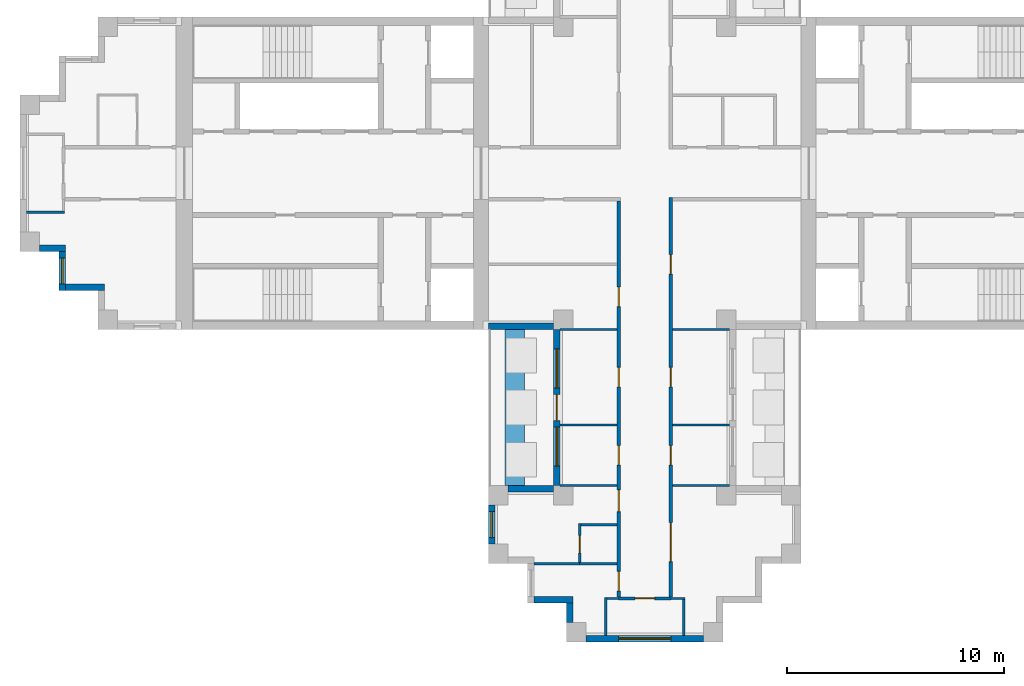
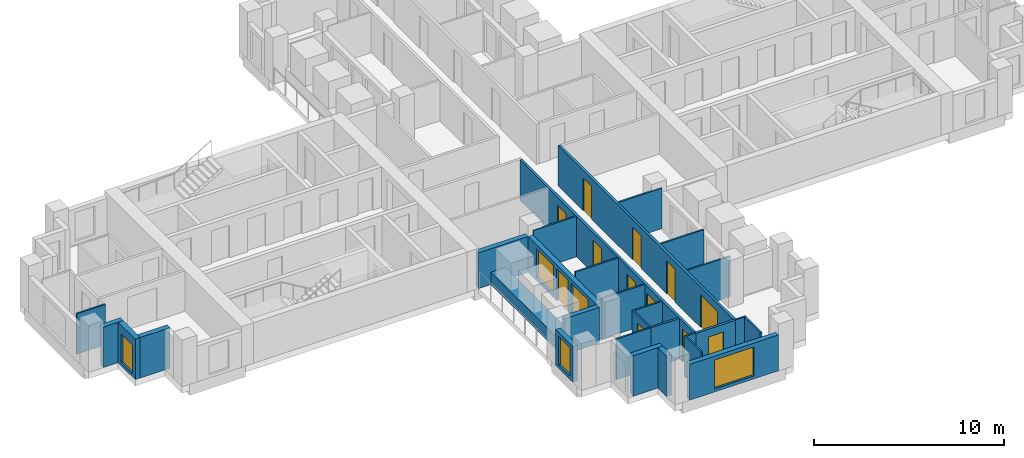
# One storey, part 2 of 9: 29 walls, 12 doors, 5 windows, 17 openings.
"""IFC4 building model written with IfcOpenShell, lengths in metres."""

from ifc_helpers import new_model, si_unit, direction, frame, frame_2d, origin, place, context, subcontext, project, spatial, rectangle, extrude, material, layer, layer_set, type_object, element, fill, save


model = new_model("IFC4")

# Units and contexts
model_context = context("Model", 3, precision=1e-05, world=origin(), true_north=direction((0.0, 1.0)))
body_context = subcontext(model_context, "Body", "Model", "MODEL_VIEW")
ifc_project = project(units=[si_unit("LENGTHUNIT", "METRE"), si_unit("AREAUNIT", "SQUARE_METRE"), si_unit("VOLUMEUNIT", "CUBIC_METRE"), si_unit("PLANEANGLEUNIT", "RADIAN"), si_unit("MASSUNIT", "GRAM", prefix="KILO")], contexts=[model_context])

# Site, building, storey
site_placement = place(None, origin())
site = spatial("IfcSite", under=ifc_project, at=site_placement, CompositionType="ELEMENT")
building_placement = place(site_placement, origin())
building = spatial("IfcBuilding", under=site, at=building_placement, Name="Fustian Cross Tower", CompositionType="ELEMENT")
storey_placement = place(building_placement, frame((0.0, 0.0, 216.89990234375)))
storey = spatial("IfcBuildingStorey", under=building, at=storey_placement, Name="L68", CompositionType="ELEMENT", Elevation=216.89990234375)

# Wall, openings, doors
ifc_material_1 = material(Name="Plasterboard on steel stud", Category="steel")
ifc_layer_1 = layer(ifc_material_1, 0.14990234375)
ifc_layer_set_1 = layer_set([ifc_layer_1], Name="Plasterboard on steel stud")
wall_type_1 = type_object("IfcWallType", Name="COMPARTMENT WALL 150 EI 60", PredefinedType="PARTITIONING", material=ifc_layer_set_1)
wall_1_placement = place(storey_placement, frame((-1.199951171875, -19.52490234375, 0.0), z_axis=(0.0, 0.0, 1.0), x_axis=(0.0, 1.0, 0.0)))
wall_1 = element("IfcWall", 1, at=wall_1_placement, inside=storey, type_object=wall_type_1, Name="Partition 29", PredefinedType="PARTITIONING", context=body_context, shape_type="SweptSolid", body=[
    extrude(rectangle(XDim=18.25, YDim=0.14990234375, at=frame_2d((9.125, 0.0))), origin(), (0.0, 0.0, 1.0), 2.60009765625),
])
opening_1_placement = place(wall_1_placement, frame((13.375, 0.0, 0.0)))
opening_1 = element("IfcOpeningElement", 2, at=opening_1_placement, cuts=wall_1, Name="Opening D31008", PredefinedType="OPENING", context=body_context, shape_type="SweptSolid", body=[
    extrude(rectangle(XDim=0.89990234375, YDim=2.10009765625, at=frame_2d((0.449951171875, 1.050048828125))), frame((0.0, 0.0849609375, 0.0), z_axis=(0.0, -1.0, 0.0), x_axis=(1.0, 0.0, 0.0)), (0.0, 0.0, 1.0), 0.169921875),
])
opening_2_placement = place(wall_1_placement, frame((6.074951171875, 0.0, 0.0)))
opening_2 = element("IfcOpeningElement", 3, at=opening_2_placement, cuts=wall_1, Name="Opening D31030", PredefinedType="OPENING", context=body_context, shape_type="SweptSolid", body=[
    extrude(rectangle(XDim=0.89990234375, YDim=2.10009765625, at=frame_2d((0.449951171875, 1.050048828125))), frame((0.0, 0.0849609375, 0.0), z_axis=(0.0, -1.0, 0.0), x_axis=(1.0, 0.0, 0.0)), (0.0, 0.0, 1.0), 0.169921875),
])
opening_3_placement = place(wall_1_placement, frame((9.675048828125, 0.0, 0.0)))
opening_3 = element("IfcOpeningElement", 4, at=opening_3_placement, cuts=wall_1, Name="Opening D31031", PredefinedType="OPENING", context=body_context, shape_type="SweptSolid", body=[
    extrude(rectangle(XDim=0.89990234375, YDim=2.10009765625, at=frame_2d((0.449951171875, 1.050048828125))), frame((0.0, 0.0849609375, 0.0), z_axis=(0.0, -1.0, 0.0), x_axis=(1.0, 0.0, 0.0)), (0.0, 0.0, 1.0), 0.169921875),
])
opening_4_placement = place(wall_1_placement, frame((3.925048828125, 0.0, 0.0)))
opening_4 = element("IfcOpeningElement", 5, at=opening_4_placement, cuts=wall_1, Name="Opening D31033", PredefinedType="OPENING", context=body_context, shape_type="SweptSolid", body=[
    extrude(rectangle(XDim=1.0, YDim=2.10009765625, at=frame_2d((0.5, 1.050048828125))), frame((0.0, 0.0849609375, 0.0), z_axis=(0.0, -1.0, 0.0), x_axis=(1.0, 0.0, 0.0)), (0.0, 0.0, 1.0), 0.169921875),
])
opening_5_placement = place(wall_1_placement, frame((0.27490234375, 0.0, 0.0)))
opening_5 = element("IfcOpeningElement", 6, at=opening_5_placement, cuts=wall_1, Name="Opening D31034", PredefinedType="OPENING", context=body_context, shape_type="SweptSolid", body=[
    extrude(rectangle(XDim=0.89990234375, YDim=2.10009765625, at=frame_2d((0.449951171875, 1.050048828125))), frame((0.0, 0.0849609375, 0.0), z_axis=(0.0, -1.0, 0.0), x_axis=(1.0, 0.0, 0.0)), (0.0, 0.0, 1.0), 0.169921875),
])
ifc_material_2 = material(Name="Timber fire door set", Category="wood")
door_type_1 = type_object("IfcDoorType", Name="FIRE SWING DOOR 1000 FD30S", OperationType="SINGLE_SWING_LEFT", PredefinedType="DOOR", material=ifc_material_2)
door_1_placement = place(opening_4_placement, origin())
door_1 = element("IfcDoor", 7, at=door_1_placement, inside=storey, type_object=door_type_1, Name="Door D31033", OperationType="SINGLE_SWING_RIGHT", OverallHeight=2.10009765625, OverallWidth=1.0, PredefinedType="DOOR", context=body_context, shape_type="SweptSolid", body=[
    extrude(rectangle(XDim=1.0, YDim=2.10009765625, at=frame_2d((0.5, 1.050048828125))), frame((0.0, 0.02490234375, 0.0), z_axis=(0.0, -1.0, 0.0), x_axis=(1.0, 0.0, 0.0)), (0.0, 0.0, 1.0), 0.050048828125),
])
fill(opening_4, door_1)
ifc_material_3 = material(Name="Timber fire door set", Category="wood")
door_type_2 = type_object("IfcDoorType", Name="FIRE SWING DOOR 900 FD30S", OperationType="SINGLE_SWING_LEFT", PredefinedType="DOOR", material=ifc_material_3)
door_2_placement = place(opening_1_placement, origin())
door_2 = element("IfcDoor", 8, at=door_2_placement, inside=storey, type_object=door_type_2, Name="Door D31008", OperationType="SINGLE_SWING_RIGHT", OverallHeight=2.10009765625, OverallWidth=0.89990234375, PredefinedType="DOOR", context=body_context, shape_type="SweptSolid", body=[
    extrude(rectangle(XDim=0.89990234375, YDim=2.10009765625, at=frame_2d((0.449951171875, 1.050048828125))), frame((0.0, 0.02490234375, 0.0), z_axis=(0.0, -1.0, 0.0), x_axis=(1.0, 0.0, 0.0)), (0.0, 0.0, 1.0), 0.050048828125),
])
fill(opening_1, door_2)
door_3_placement = place(opening_2_placement, origin())
door_3 = element("IfcDoor", 9, at=door_3_placement, inside=storey, type_object=door_type_2, Name="Door D31030", OperationType="SINGLE_SWING_LEFT", OverallHeight=2.10009765625, OverallWidth=0.89990234375, PredefinedType="DOOR", context=body_context, shape_type="SweptSolid", body=[
    extrude(rectangle(XDim=0.89990234375, YDim=2.10009765625, at=frame_2d((0.449951171875, 1.050048828125))), frame((0.0, 0.02490234375, 0.0), z_axis=(0.0, -1.0, 0.0), x_axis=(1.0, 0.0, 0.0)), (0.0, 0.0, 1.0), 0.050048828125),
])
fill(opening_2, door_3)
door_4_placement = place(opening_3_placement, origin())
door_4 = element("IfcDoor", 10, at=door_4_placement, inside=storey, type_object=door_type_2, Name="Door D31031", OperationType="SINGLE_SWING_LEFT", OverallHeight=2.10009765625, OverallWidth=0.89990234375, PredefinedType="DOOR", context=body_context, shape_type="SweptSolid", body=[
    extrude(rectangle(XDim=0.89990234375, YDim=2.10009765625, at=frame_2d((0.449951171875, 1.050048828125))), frame((0.0, 0.02490234375, 0.0), z_axis=(0.0, -1.0, 0.0), x_axis=(1.0, 0.0, 0.0)), (0.0, 0.0, 1.0), 0.050048828125),
])
fill(opening_3, door_4)
door_5_placement = place(opening_5_placement, origin())
door_5 = element("IfcDoor", 11, at=door_5_placement, inside=storey, type_object=door_type_2, Name="Door D31034", OperationType="SINGLE_SWING_LEFT", OverallHeight=2.10009765625, OverallWidth=0.89990234375, PredefinedType="DOOR", context=body_context, shape_type="SweptSolid", body=[
    extrude(rectangle(XDim=0.89990234375, YDim=2.10009765625, at=frame_2d((0.449951171875, 1.050048828125))), frame((0.0, 0.02490234375, 0.0), z_axis=(0.0, -1.0, 0.0), x_axis=(1.0, 0.0, 0.0)), (0.0, 0.0, 1.0), 0.050048828125),
])
fill(opening_5, door_5)

# Wall, opening, door
wall_2_placement = place(storey_placement, frame((-1.199951171875, -19.60009765625, 0.0), z_axis=(0.0, 0.0, 1.0), x_axis=(1.0, 0.0, 0.0)))
wall_2 = element("IfcWall", 12, at=wall_2_placement, inside=storey, type_object=wall_type_1, Name="Partition 30", PredefinedType="PARTITIONING", context=body_context, shape_type="SweptSolid", body=[
    extrude(rectangle(XDim=2.39990234375, YDim=0.14990234375, at=frame_2d((1.199951171875, 0.0))), origin(), (0.0, 0.0, 1.0), 2.60009765625),
])
opening_6_placement = place(wall_2_placement, frame((0.75, 0.0, 0.0)))
opening_6 = element("IfcOpeningElement", 13, at=opening_6_placement, cuts=wall_2, Name="Opening D31026", PredefinedType="OPENING", context=body_context, shape_type="SweptSolid", body=[
    extrude(rectangle(XDim=0.89990234375, YDim=2.10009765625, at=frame_2d((0.449951171875, 1.050048828125))), frame((0.0, 0.0849609375, 0.0), z_axis=(0.0, -1.0, 0.0), x_axis=(1.0, 0.0, 0.0)), (0.0, 0.0, 1.0), 0.169921875),
])
door_6_placement = place(opening_6_placement, frame((0.89990234375, 0.0, 0.0), z_axis=(0.0, 0.0, 1.0), x_axis=(-1.0, 0.0, 0.0)))
door_6 = element("IfcDoor", 14, at=door_6_placement, inside=storey, type_object=door_type_2, Name="Door D31026", OperationType="SINGLE_SWING_RIGHT", OverallHeight=2.10009765625, OverallWidth=0.89990234375, PredefinedType="DOOR", context=body_context, shape_type="SweptSolid", body=[
    extrude(rectangle(XDim=0.89990234375, YDim=2.10009765625, at=frame_2d((0.449951171875, 1.050048828125))), frame((0.0, 0.02490234375, 0.0), z_axis=(0.0, -1.0, 0.0), x_axis=(1.0, 0.0, 0.0)), (0.0, 0.0, 1.0), 0.050048828125),
])
fill(opening_6, door_6)

# Wall, openings, doors
wall_3_placement = place(storey_placement, frame((1.199951171875, -19.52490234375, 0.0), z_axis=(0.0, 0.0, 1.0), x_axis=(0.0, 1.0, 0.0)))
wall_3 = element("IfcWall", 15, at=wall_3_placement, inside=storey, type_object=wall_type_1, Name="Partition 33", PredefinedType="PARTITIONING", context=body_context, shape_type="SweptSolid", body=[
    extrude(rectangle(XDim=18.39990234375, YDim=0.14990234375, at=frame_2d((9.199951171875, 0.0))), origin(), (0.0, 0.0, 1.0), 2.60009765625),
])
opening_7_placement = place(wall_3_placement, frame((14.875, 0.0, 0.0)))
opening_7 = element("IfcOpeningElement", 16, at=opening_7_placement, cuts=wall_3, Name="Opening D31006", PredefinedType="OPENING", context=body_context, shape_type="SweptSolid", body=[
    extrude(rectangle(XDim=0.89990234375, YDim=2.10009765625, at=frame_2d((0.449951171875, 1.050048828125))), frame((0.0, 0.0849609375, 0.0), z_axis=(0.0, -1.0, 0.0), x_axis=(1.0, 0.0, 0.0)), (0.0, 0.0, 1.0), 0.169921875),
])
opening_8_placement = place(wall_3_placement, frame((6.074951171875, 0.0, 0.0)))
opening_8 = element("IfcOpeningElement", 17, at=opening_8_placement, cuts=wall_3, Name="Opening D31027", PredefinedType="OPENING", context=body_context, shape_type="SweptSolid", body=[
    extrude(rectangle(XDim=0.89990234375, YDim=2.10009765625, at=frame_2d((0.449951171875, 1.050048828125))), frame((0.0, 0.0849609375, 0.0), z_axis=(0.0, -1.0, 0.0), x_axis=(1.0, 0.0, 0.0)), (0.0, 0.0, 1.0), 0.169921875),
])
opening_9_placement = place(wall_3_placement, frame((9.675048828125, 0.0, 0.0)))
opening_9 = element("IfcOpeningElement", 18, at=opening_9_placement, cuts=wall_3, Name="Opening D31028", PredefinedType="OPENING", context=body_context, shape_type="SweptSolid", body=[
    extrude(rectangle(XDim=0.89990234375, YDim=2.10009765625, at=frame_2d((0.449951171875, 1.050048828125))), frame((0.0, 0.0849609375, 0.0), z_axis=(0.0, -1.0, 0.0), x_axis=(1.0, 0.0, 0.0)), (0.0, 0.0, 1.0), 0.169921875),
])
opening_10_placement = place(wall_3_placement, frame((1.625, 0.0, 0.0)))
opening_10 = element("IfcOpeningElement", 19, at=opening_10_placement, cuts=wall_3, Name="Opening D31029", PredefinedType="OPENING", context=body_context, shape_type="SweptSolid", body=[
    extrude(rectangle(XDim=1.800048828125, YDim=2.10009765625, at=frame_2d((0.89990234375, 1.050048828125))), frame((0.0, 0.0849609375, 0.0), z_axis=(0.0, -1.0, 0.0), x_axis=(1.0, 0.0, 0.0)), (0.0, 0.0, 1.0), 0.169921875),
])
ifc_material_4 = material(Name="Timber fire door set", Category="wood")
door_type_3 = type_object("IfcDoorType", Name="FIRE DOUBLE DOOR 1800 FD30S", OperationType="DOUBLE_DOOR_DOUBLE_SWING", PredefinedType="DOOR", material=ifc_material_4)
door_7_placement = place(opening_10_placement, origin())
door_7 = element("IfcDoor", 20, at=door_7_placement, inside=storey, type_object=door_type_3, Name="Door D31029", OperationType="DOUBLE_DOOR_DOUBLE_SWING", OverallHeight=2.10009765625, OverallWidth=1.800048828125, PredefinedType="DOOR", context=body_context, shape_type="SweptSolid", body=[
    extrude(rectangle(XDim=1.800048828125, YDim=2.10009765625, at=frame_2d((0.89990234375, 1.050048828125))), frame((0.0, 0.02490234375, 0.0), z_axis=(0.0, -1.0, 0.0), x_axis=(1.0, 0.0, 0.0)), (0.0, 0.0, 1.0), 0.050048828125),
])
fill(opening_10, door_7)
door_8_placement = place(opening_7_placement, frame((0.89990234375, 0.0, 0.0), z_axis=(0.0, 0.0, 1.0), x_axis=(-1.0, 0.0, 0.0)))
door_8 = element("IfcDoor", 21, at=door_8_placement, inside=storey, type_object=door_type_2, Name="Door D31006", OperationType="SINGLE_SWING_RIGHT", OverallHeight=2.10009765625, OverallWidth=0.89990234375, PredefinedType="DOOR", context=body_context, shape_type="SweptSolid", body=[
    extrude(rectangle(XDim=0.89990234375, YDim=2.10009765625, at=frame_2d((0.449951171875, 1.050048828125))), frame((0.0, 0.02490234375, 0.0), z_axis=(0.0, -1.0, 0.0), x_axis=(1.0, 0.0, 0.0)), (0.0, 0.0, 1.0), 0.050048828125),
])
fill(opening_7, door_8)
door_9_placement = place(opening_8_placement, frame((0.89990234375, 0.0, 0.0), z_axis=(0.0, 0.0, 1.0), x_axis=(-1.0, 0.0, 0.0)))
door_9 = element("IfcDoor", 22, at=door_9_placement, inside=storey, type_object=door_type_2, Name="Door D31027", OperationType="SINGLE_SWING_RIGHT", OverallHeight=2.10009765625, OverallWidth=0.89990234375, PredefinedType="DOOR", context=body_context, shape_type="SweptSolid", body=[
    extrude(rectangle(XDim=0.89990234375, YDim=2.10009765625, at=frame_2d((0.449951171875, 1.050048828125))), frame((0.0, 0.02490234375, 0.0), z_axis=(0.0, -1.0, 0.0), x_axis=(1.0, 0.0, 0.0)), (0.0, 0.0, 1.0), 0.050048828125),
])
fill(opening_8, door_9)
door_10_placement = place(opening_9_placement, frame((0.89990234375, 0.0, 0.0), z_axis=(0.0, 0.0, 1.0), x_axis=(-1.0, 0.0, 0.0)))
door_10 = element("IfcDoor", 23, at=door_10_placement, inside=storey, type_object=door_type_2, Name="Door D31028", OperationType="SINGLE_SWING_RIGHT", OverallHeight=2.10009765625, OverallWidth=0.89990234375, PredefinedType="DOOR", context=body_context, shape_type="SweptSolid", body=[
    extrude(rectangle(XDim=0.89990234375, YDim=2.10009765625, at=frame_2d((0.449951171875, 1.050048828125))), frame((0.0, 0.02490234375, 0.0), z_axis=(0.0, -1.0, 0.0), x_axis=(1.0, 0.0, 0.0)), (0.0, 0.0, 1.0), 0.050048828125),
])
fill(opening_9, door_10)

# Walls
ifc_material_5 = material(Name="Plasterboard on steel stud", Category="steel")
ifc_layer_2 = layer(ifc_material_5, 0.10009765625)
ifc_layer_set_2 = layer_set([ifc_layer_2], Name="Plasterboard on steel stud")
wall_type_2 = type_object("IfcWallType", Name="PARTITION 100 STUD", PredefinedType="PARTITIONING", material=ifc_layer_set_2)
wall_4_placement = place(storey_placement, frame((-28.5, -1.800048828125, 0.0), z_axis=(0.0, 0.0, 1.0), x_axis=(1.0, 0.0, 0.0)))
element("IfcWall", 24, at=wall_4_placement, inside=storey, type_object=wall_type_2, Name="Partition 1", PredefinedType="PARTITIONING", context=body_context, shape_type="SweptSolid", body=[
    extrude(rectangle(XDim=1.75, YDim=0.10009765625, at=frame_2d((0.875, 0.0))), origin(), (0.0, 0.0, 1.0), 2.60009765625),
])
wall_5_placement = place(storey_placement, frame((-5.10009765625, -18.0, 0.0), z_axis=(0.0, 0.0, 1.0), x_axis=(1.0, 0.0, 0.0)))
element("IfcWall", 25, at=wall_5_placement, inside=storey, type_object=wall_type_2, Name="Partition 15", PredefinedType="PARTITIONING", context=body_context, shape_type="SweptSolid", body=[
    extrude(rectangle(XDim=2.10009765625, YDim=0.10009765625, at=frame_2d((1.050048828125, 0.0))), origin(), (0.0, 0.0, 1.0), 2.60009765625),
])
for number, where, z_axis, x_axis, name in (
    (26, (-3.89990234375, -14.39990234375, 0.0), (0.0, 0.0, 1.0), (1.0, 0.0, 0.0), "Partition 17"),
    (27, (-3.89990234375, -11.60009765625, 0.0), (0.0, 0.0, 1.0), (1.0, 0.0, 0.0), "Partition 18"),
    (28, (-3.89990234375, -7.199951171875, 0.0), (0.0, 0.0, 1.0), (1.0, 0.0, 0.0), "Partition 19"),
):
    element("IfcWall", number, at=place(storey_placement, frame(where, z_axis=z_axis, x_axis=x_axis)), inside=storey, type_object=wall_type_2, Name=name, PredefinedType="PARTITIONING", context=body_context, shape_type="SweptSolid", body=[
        extrude(rectangle(XDim=2.625, YDim=0.10009765625, at=frame_2d((1.3125, 0.0))), origin(), (0.0, 0.0, 1.0), 2.60009765625),
    ])

# Wall, opening, door
wall_6_placement = place(storey_placement, frame((-3.0, -17.9375, 0.0), z_axis=(0.0, 0.0, 1.0), x_axis=(0.0, 1.0, 0.0)))
wall_6 = element("IfcWall", 29, at=wall_6_placement, inside=storey, type_object=wall_type_2, Name="Partition 22", PredefinedType="PARTITIONING", context=body_context, shape_type="SweptSolid", body=[
    extrude(rectangle(XDim=1.78759765625, YDim=0.10009765625, at=frame_2d((0.893798828125, 0.0))), origin(), (0.0, 0.0, 1.0), 2.60009765625),
])
opening_11_placement = place(wall_6_placement, frame((0.4375, 0.0, 0.0)))
opening_11 = element("IfcOpeningElement", 30, at=opening_11_placement, cuts=wall_6, Name="Opening D31032", PredefinedType="OPENING", context=body_context, shape_type="SweptSolid", body=[
    extrude(rectangle(XDim=0.800048828125, YDim=2.10009765625, at=frame_2d((0.39990234375, 1.050048828125))), frame((0.0, 0.06005859375, 0.0), z_axis=(0.0, -1.0, 0.0), x_axis=(1.0, 0.0, 0.0)), (0.0, 0.0, 1.0), 0.1201171875),
])
ifc_material_6 = material(Name="Painted timber", Category="wood")
door_type_4 = type_object("IfcDoorType", Name="SWING DOOR 800", OperationType="SINGLE_SWING_LEFT", PredefinedType="DOOR", material=ifc_material_6)
door_11_placement = place(opening_11_placement, frame((0.800048828125, 0.0, 0.0), z_axis=(0.0, 0.0, 1.0), x_axis=(-1.0, 0.0, 0.0)))
door_11 = element("IfcDoor", 31, at=door_11_placement, inside=storey, type_object=door_type_4, Name="Door D31032", OperationType="SINGLE_SWING_LEFT", OverallHeight=2.10009765625, OverallWidth=0.800048828125, PredefinedType="DOOR", context=body_context, shape_type="SweptSolid", body=[
    extrude(rectangle(XDim=0.800048828125, YDim=2.10009765625, at=frame_2d((0.39990234375, 1.050048828125))), frame((0.0, 0.02490234375, 0.0), z_axis=(0.0, -1.0, 0.0), x_axis=(1.0, 0.0, 0.0)), (0.0, 0.0, 1.0), 0.050048828125),
])
fill(opening_11, door_11)

# Walls
wall_7_placement = place(storey_placement, frame((-2.949951171875, -16.199951171875, 0.0), z_axis=(0.0, 0.0, 1.0), x_axis=(1.0, 0.0, 0.0)))
element("IfcWall", 32, at=wall_7_placement, inside=storey, type_object=wall_type_2, Name="Partition 24", PredefinedType="PARTITIONING", context=body_context, shape_type="SweptSolid", body=[
    extrude(rectangle(XDim=1.675048828125, YDim=0.10009765625, at=frame_2d((0.83740234375, 0.0))), origin(), (0.0, 0.0, 1.0), 2.60009765625),
])
wall_8_placement = place(storey_placement, frame((-1.800048828125, -21.300048828125, 0.0), z_axis=(0.0, 0.0, 1.0), x_axis=(0.0, 1.0, 0.0)))
element("IfcWall", 33, at=wall_8_placement, inside=storey, type_object=wall_type_2, Name="Partition 25", PredefinedType="PARTITIONING", context=body_context, shape_type="SweptSolid", body=[
    extrude(rectangle(XDim=1.75, YDim=0.10009765625, at=frame_2d((0.875, 0.0))), origin(), (0.0, 0.0, 1.0), 2.60009765625),
])
wall_9_placement = place(storey_placement, frame((-1.75, -19.60009765625, 0.0), z_axis=(0.0, 0.0, 1.0), x_axis=(1.0, 0.0, 0.0)))
element("IfcWall", 34, at=wall_9_placement, inside=storey, type_object=wall_type_2, Name="Partition 26", PredefinedType="PARTITIONING", context=body_context, shape_type="SweptSolid", body=[
    extrude(rectangle(XDim=0.550048828125, YDim=0.10009765625, at=frame_2d((0.27490234375, 0.0))), origin(), (0.0, 0.0, 1.0), 2.60009765625),
])
wall_10_placement = place(storey_placement, frame((1.199951171875, -19.60009765625, 0.0), z_axis=(0.0, 0.0, 1.0), x_axis=(1.0, 0.0, 0.0)))
element("IfcWall", 35, at=wall_10_placement, inside=storey, type_object=wall_type_2, Name="Partition 34", PredefinedType="PARTITIONING", context=body_context, shape_type="SweptSolid", body=[
    extrude(rectangle(XDim=0.650146484375, YDim=0.10009765625, at=frame_2d((0.3251953125, 0.0))), origin(), (0.0, 0.0, 1.0), 2.60009765625),
])
for number, where, z_axis, x_axis, name in (
    (36, (1.27490234375, -14.39990234375, 0.0), (0.0, 0.0, 1.0), (1.0, 0.0, 0.0), "Partition 35"),
    (37, (1.27490234375, -11.60009765625, 0.0), (0.0, 0.0, 1.0), (1.0, 0.0, 0.0), "Partition 36"),
    (38, (1.27490234375, -7.199951171875, 0.0), (0.0, 0.0, 1.0), (1.0, 0.0, 0.0), "Partition 37"),
):
    element("IfcWall", number, at=place(storey_placement, frame(where, z_axis=z_axis, x_axis=x_axis)), inside=storey, type_object=wall_type_2, Name=name, PredefinedType="PARTITIONING", context=body_context, shape_type="SweptSolid", body=[
        extrude(rectangle(XDim=2.625, YDim=0.10009765625, at=frame_2d((1.3125, 0.0))), origin(), (0.0, 0.0, 1.0), 2.60009765625),
    ])
wall_11_placement = place(storey_placement, frame((1.800048828125, -21.300048828125, 0.0), z_axis=(0.0, 0.0, 1.0), x_axis=(0.0, 1.0, 0.0)))
element("IfcWall", 39, at=wall_11_placement, inside=storey, type_object=wall_type_2, Name="Partition 46", PredefinedType="PARTITIONING", context=body_context, shape_type="SweptSolid", body=[
    extrude(rectangle(XDim=1.650146484375, YDim=0.10009765625, at=frame_2d((0.8251953125, 0.0))), origin(), (0.0, 0.0, 1.0), 2.60009765625),
])
ifc_material_7 = material(Name="Concrete C40/50", Category="concrete")
ifc_layer_3 = layer(ifc_material_7, 0.89990234375)
ifc_layer_set_3 = layer_set([ifc_layer_3], Name="Concrete C40/50")
wall_type_3 = type_object("IfcWallType", Name="PK1 PLANTER 900", PredefinedType="PARAPET", material=ifc_layer_set_3)
wall_12_placement = place(storey_placement, frame((-6.0, -14.39990234375, 0.0), z_axis=(0.0, 0.0, 1.0), x_axis=(0.0, 1.0, 0.0)))
element("IfcWall", 40, at=wall_12_placement, inside=storey, type_object=wall_type_3, Name="PLANTER", PredefinedType="PARAPET", context=body_context, shape_type="SweptSolid", body=[
    extrude(rectangle(XDim=7.199951171875, YDim=0.89990234375, at=frame_2d((3.60009765625, 0.0))), origin(), (0.0, 0.0, 1.0), 0.800048828125),
])
ifc_material_8 = material(Name="Plasterboard on steel stud", Category="steel")
ifc_layer_4 = layer(ifc_material_8, 0.125)
ifc_layer_set_4 = layer_set([ifc_layer_4], Name="Plasterboard on steel stud")
wall_type_4 = type_object("IfcWallType", Name="WET WALL 125 STUD", PredefinedType="PARTITIONING", material=ifc_layer_set_4)
wall_13_placement = place(storey_placement, frame((-3.0, -18.0, 0.0), z_axis=(0.0, 0.0, 1.0), x_axis=(1.0, 0.0, 0.0)))
element("IfcWall", 41, at=wall_13_placement, inside=storey, type_object=wall_type_4, Name="Partition 23", PredefinedType="PARTITIONING", context=body_context, shape_type="SweptSolid", body=[
    extrude(rectangle(XDim=1.72509765625, YDim=0.125, at=frame_2d((0.862548828125, 0.0))), origin(), (0.0, 0.0, 1.0), 2.60009765625),
])
ifc_material_9 = material(Name="Dark aluminium cladding on insulated backing wall", Category="aluminium")
ifc_layer_5 = layer(ifc_material_9, 0.300048828125)
ifc_layer_set_5 = layer_set([ifc_layer_5], Name="Dark aluminium cladding on insulated backing wall")
wall_type_5 = type_object("IfcWallType", Name="XW1 EXTERNAL WALL 300", PredefinedType="SOLIDWALL", material=ifc_layer_set_5)
wall_14_placement = place(storey_placement, frame((-27.89990234375, -3.449951171875, 0.0), z_axis=(0.0, 0.0, 1.0), x_axis=(1.0, 0.0, 0.0)))
element("IfcWall", 42, at=wall_14_placement, inside=storey, type_object=wall_type_5, Name="External wall", PredefinedType="SOLIDWALL", context=body_context, shape_type="SweptSolid", body=[
    extrude(rectangle(XDim=1.199951171875, YDim=0.300048828125, at=frame_2d((0.60009765625, 0.0))), origin(), (0.0, 0.0, 1.0), 2.60009765625),
])

# Wall, opening, window
wall_15_placement = place(storey_placement, frame((-26.85009765625, -3.60009765625, 0.0), z_axis=(0.0, 0.0, 1.0), x_axis=(0.0, -1.0, 0.0)))
wall_15 = element("IfcWall", 43, at=wall_15_placement, inside=storey, type_object=wall_type_5, Name="External wall", PredefinedType="SOLIDWALL", context=body_context, shape_type="SweptSolid", body=[
    extrude(rectangle(XDim=1.7998046875, YDim=0.300048828125, at=frame_2d((0.89990234375, 0.0))), origin(), (0.0, 0.0, 1.0), 2.60009765625),
])
opening_12_placement = place(wall_15_placement, frame((0.300048828125, 0.0, 0.199951171875)))
opening_12 = element("IfcOpeningElement", 44, at=opening_12_placement, cuts=wall_15, Name="Opening WN3", PredefinedType="OPENING", context=body_context, shape_type="SweptSolid", body=[
    extrude(rectangle(XDim=1.199951171875, YDim=1.85009765625, at=frame_2d((0.60009765625, 0.925048828125))), frame((0.0, 0.159912109375, 0.0), z_axis=(0.0, -1.0, 0.0), x_axis=(1.0, 0.0, 0.0)), (0.0, 0.0, 1.0), 0.320068359375),
])
ifc_material_10 = material(Name="Dark anodised aluminium and double glazing", Category="aluminium")
window_type_1 = type_object("IfcWindowType", Name="WN3 WINDOW 1200X1850", PartitioningType="SINGLE_PANEL", PredefinedType="WINDOW", material=ifc_material_10)
window_1_placement = place(opening_12_placement, origin())
window_1 = element("IfcWindow", 45, at=window_1_placement, inside=storey, type_object=window_type_1, Name="Window", OverallHeight=1.85009765625, OverallWidth=1.199951171875, PartitioningType="SINGLE_PANEL", PredefinedType="WINDOW", context=body_context, shape_type="SweptSolid", body=[
    extrude(rectangle(XDim=1.199951171875, YDim=1.85009765625, at=frame_2d((0.60009765625, 0.925048828125))), frame((0.0, 0.030029296875, 0.0), z_axis=(0.0, -1.0, 0.0), x_axis=(1.0, 0.0, 0.0)), (0.0, 0.0, 1.0), 0.06005859375),
])
fill(opening_12, window_1)

# Walls
wall_16_placement = place(storey_placement, frame((-26.699951171875, -5.25, 0.0), z_axis=(0.0, 0.0, 1.0), x_axis=(1.0, 0.0, 0.0)))
element("IfcWall", 46, at=wall_16_placement, inside=storey, type_object=wall_type_5, Name="External wall", PredefinedType="SOLIDWALL", context=body_context, shape_type="SweptSolid", body=[
    extrude(rectangle(XDim=1.800048828125, YDim=0.300048828125, at=frame_2d((0.89990234375, 0.0))), origin(), (0.0, 0.0, 1.0), 2.60009765625),
])
wall_17_placement = place(storey_placement, frame((-7.199951171875, -7.050048828125, 0.0), z_axis=(0.0, 0.0, 1.0), x_axis=(1.0, 0.0, 0.0)))
element("IfcWall", 47, at=wall_17_placement, inside=storey, type_object=wall_type_5, Name="External wall", PredefinedType="SOLIDWALL", context=body_context, shape_type="SweptSolid", body=[
    extrude(rectangle(XDim=3.0, YDim=0.300048828125, at=frame_2d((1.5, 0.0))), origin(), (0.0, 0.0, 1.0), 2.300048828125),
])

# Wall, openings, door, windows
wall_18_placement = place(storey_placement, frame((-4.050048828125, -7.199951171875, 0.0), z_axis=(0.0, 0.0, 1.0), x_axis=(0.0, -1.0, 0.0)))
wall_18 = element("IfcWall", 48, at=wall_18_placement, inside=storey, type_object=wall_type_5, Name="External wall", PredefinedType="SOLIDWALL", context=body_context, shape_type="SweptSolid", body=[
    extrude(rectangle(XDim=7.199951171875, YDim=0.300048828125, at=frame_2d((3.60009765625, 0.0))), origin(), (0.0, 0.0, 1.0), 2.300048828125),
])
opening_13_placement = place(wall_18_placement, frame((3.0, 0.0, 0.0)))
opening_13 = element("IfcOpeningElement", 49, at=opening_13_placement, cuts=wall_18, Name="Opening XD4", PredefinedType="OPENING", context=body_context, shape_type="SweptSolid", body=[
    extrude(rectangle(XDim=1.199951171875, YDim=2.050048828125, at=frame_2d((0.60009765625, 1.02490234375))), frame((0.0, 0.159912109375, 0.0), z_axis=(0.0, -1.0, 0.0), x_axis=(1.0, 0.0, 0.0)), (0.0, 0.0, 1.0), 0.320068359375),
])
opening_14_placement = place(wall_18_placement, frame((0.89990234375, 0.0, 0.199951171875)))
opening_14 = element("IfcOpeningElement", 50, at=opening_14_placement, cuts=wall_18, Name="Opening WN2", PredefinedType="OPENING", context=body_context, shape_type="SweptSolid", body=[
    extrude(rectangle(XDim=1.800048828125, YDim=1.85009765625, at=frame_2d((0.89990234375, 0.925048828125))), frame((0.0, 0.159912109375, 0.0), z_axis=(0.0, -1.0, 0.0), x_axis=(1.0, 0.0, 0.0)), (0.0, 0.0, 1.0), 0.320068359375),
])
opening_15_placement = place(wall_18_placement, frame((4.5, 0.0, 0.199951171875)))
opening_15 = element("IfcOpeningElement", 51, at=opening_15_placement, cuts=wall_18, Name="Opening WN2", PredefinedType="OPENING", context=body_context, shape_type="SweptSolid", body=[
    extrude(rectangle(XDim=1.800048828125, YDim=1.85009765625, at=frame_2d((0.89990234375, 0.925048828125))), frame((0.0, 0.159912109375, 0.0), z_axis=(0.0, -1.0, 0.0), x_axis=(1.0, 0.0, 0.0)), (0.0, 0.0, 1.0), 0.320068359375),
])
ifc_material_11 = material(Name="Dark anodised aluminium and double glazing", Category="aluminium")
door_type_5 = type_object("IfcDoorType", Name="ED1 BALCONY DOOR 1200X2050", OperationType="SINGLE_SWING_LEFT", PredefinedType="DOOR", material=ifc_material_11)
door_12_placement = place(opening_13_placement, origin())
door_12 = element("IfcDoor", 52, at=door_12_placement, inside=storey, type_object=door_type_5, Name="Balcony door", OperationType="SINGLE_SWING_LEFT", OverallHeight=2.050048828125, OverallWidth=1.199951171875, PredefinedType="DOOR", context=body_context, shape_type="SweptSolid", body=[
    extrude(rectangle(XDim=1.199951171875, YDim=2.050048828125, at=frame_2d((0.60009765625, 1.02490234375))), frame((0.0, 0.02490234375, 0.0), z_axis=(0.0, -1.0, 0.0), x_axis=(1.0, 0.0, 0.0)), (0.0, 0.0, 1.0), 0.050048828125),
])
fill(opening_13, door_12)
ifc_material_12 = material(Name="Dark anodised aluminium and double glazing", Category="aluminium")
window_type_2 = type_object("IfcWindowType", Name="WN2 WINDOW 1800X1850", PartitioningType="SINGLE_PANEL", PredefinedType="WINDOW", material=ifc_material_12)
window_2_placement = place(opening_14_placement, origin())
window_2 = element("IfcWindow", 53, at=window_2_placement, inside=storey, type_object=window_type_2, Name="Window", OverallHeight=1.85009765625, OverallWidth=1.800048828125, PartitioningType="SINGLE_PANEL", PredefinedType="WINDOW", context=body_context, shape_type="SweptSolid", body=[
    extrude(rectangle(XDim=1.800048828125, YDim=1.85009765625, at=frame_2d((0.89990234375, 0.925048828125))), frame((0.0, 0.030029296875, 0.0), z_axis=(0.0, -1.0, 0.0), x_axis=(1.0, 0.0, 0.0)), (0.0, 0.0, 1.0), 0.06005859375),
])
fill(opening_14, window_2)
window_3_placement = place(opening_15_placement, origin())
window_3 = element("IfcWindow", 54, at=window_3_placement, inside=storey, type_object=window_type_2, Name="Window", OverallHeight=1.85009765625, OverallWidth=1.800048828125, PartitioningType="SINGLE_PANEL", PredefinedType="WINDOW", context=body_context, shape_type="SweptSolid", body=[
    extrude(rectangle(XDim=1.800048828125, YDim=1.85009765625, at=frame_2d((0.89990234375, 0.925048828125))), frame((0.0, 0.030029296875, 0.0), z_axis=(0.0, -1.0, 0.0), x_axis=(1.0, 0.0, 0.0)), (0.0, 0.0, 1.0), 0.06005859375),
])
fill(opening_15, window_3)

# Wall
wall_19_placement = place(storey_placement, frame((-4.199951171875, -14.550048828125, 0.0), z_axis=(0.0, 0.0, 1.0), x_axis=(-1.0, 0.0, 0.0)))
element("IfcWall", 55, at=wall_19_placement, inside=storey, type_object=wall_type_5, Name="External wall", PredefinedType="SOLIDWALL", context=body_context, shape_type="SweptSolid", body=[
    extrude(rectangle(XDim=2.10009765625, YDim=0.300048828125, at=frame_2d((1.050048828125, 0.0))), origin(), (0.0, 0.0, 1.0), 2.300048828125),
])

# Wall, opening, window
wall_20_placement = place(storey_placement, frame((-7.050048828125, -15.300048828125, 0.0), z_axis=(0.0, 0.0, 1.0), x_axis=(0.0, -1.0, 0.0)))
wall_20 = element("IfcWall", 56, at=wall_20_placement, inside=storey, type_object=wall_type_5, Name="External wall", PredefinedType="SOLIDWALL", context=body_context, shape_type="SweptSolid", body=[
    extrude(rectangle(XDim=1.800048828125, YDim=0.300048828125, at=frame_2d((0.89990234375, 0.0))), origin(), (0.0, 0.0, 1.0), 2.300048828125),
])
opening_16_placement = place(wall_20_placement, frame((0.300048828125, 0.0, 0.199951171875)))
opening_16 = element("IfcOpeningElement", 57, at=opening_16_placement, cuts=wall_20, Name="Opening WN3", PredefinedType="OPENING", context=body_context, shape_type="SweptSolid", body=[
    extrude(rectangle(XDim=1.199951171875, YDim=1.85009765625, at=frame_2d((0.60009765625, 0.925048828125))), frame((0.0, 0.159912109375, 0.0), z_axis=(0.0, -1.0, 0.0), x_axis=(1.0, 0.0, 0.0)), (0.0, 0.0, 1.0), 0.320068359375),
])
window_4_placement = place(opening_16_placement, origin())
window_4 = element("IfcWindow", 58, at=window_4_placement, inside=storey, type_object=window_type_1, Name="Window", OverallHeight=1.85009765625, OverallWidth=1.199951171875, PartitioningType="SINGLE_PANEL", PredefinedType="WINDOW", context=body_context, shape_type="SweptSolid", body=[
    extrude(rectangle(XDim=1.199951171875, YDim=1.85009765625, at=frame_2d((0.60009765625, 0.925048828125))), frame((0.0, 0.030029296875, 0.0), z_axis=(0.0, -1.0, 0.0), x_axis=(1.0, 0.0, 0.0)), (0.0, 0.0, 1.0), 0.06005859375),
])
fill(opening_16, window_4)

# Walls
wall_21_placement = place(storey_placement, frame((-5.10009765625, -19.64990234375, 0.0), z_axis=(0.0, 0.0, 1.0), x_axis=(1.0, 0.0, 0.0)))
element("IfcWall", 59, at=wall_21_placement, inside=storey, type_object=wall_type_5, Name="External wall", PredefinedType="SOLIDWALL", context=body_context, shape_type="SweptSolid", body=[
    extrude(rectangle(XDim=1.800048828125, YDim=0.300048828125, at=frame_2d((0.89990234375, 0.0))), origin(), (0.0, 0.0, 1.0), 2.60009765625),
])
wall_22_placement = place(storey_placement, frame((-3.449951171875, -19.800048828125, 0.0), z_axis=(0.0, 0.0, 1.0), x_axis=(0.0, -1.0, 0.0)))
element("IfcWall", 60, at=wall_22_placement, inside=storey, type_object=wall_type_5, Name="External wall", PredefinedType="SOLIDWALL", context=body_context, shape_type="SweptSolid", body=[
    extrude(rectangle(XDim=0.89990234375, YDim=0.300048828125, at=frame_2d((0.449951171875, 0.0))), origin(), (0.0, 0.0, 1.0), 2.60009765625),
])

# Wall, opening, window
wall_23_placement = place(storey_placement, frame((-2.699951171875, -21.449951171875, 0.0), z_axis=(0.0, 0.0, 1.0), x_axis=(1.0, 0.0, 0.0)))
wall_23 = element("IfcWall", 61, at=wall_23_placement, inside=storey, type_object=wall_type_5, Name="External wall", PredefinedType="SOLIDWALL", context=body_context, shape_type="SweptSolid", body=[
    extrude(rectangle(XDim=5.39990234375, YDim=0.300048828125, at=frame_2d((2.699951171875, 0.0))), origin(), (0.0, 0.0, 1.0), 2.300048828125),
])
opening_17_placement = place(wall_23_placement, frame((1.5, 0.0, 0.199951171875)))
opening_17 = element("IfcOpeningElement", 62, at=opening_17_placement, cuts=wall_23, Name="Opening WN1", PredefinedType="OPENING", context=body_context, shape_type="SweptSolid", body=[
    extrude(rectangle(XDim=2.39990234375, YDim=1.85009765625, at=frame_2d((1.199951171875, 0.925048828125))), frame((0.0, 0.159912109375, 0.0), z_axis=(0.0, -1.0, 0.0), x_axis=(1.0, 0.0, 0.0)), (0.0, 0.0, 1.0), 0.320068359375),
])
ifc_material_13 = material(Name="Dark anodised aluminium and double glazing", Category="aluminium")
window_type_3 = type_object("IfcWindowType", Name="WN1 WINDOW 2400X1850", PartitioningType="SINGLE_PANEL", PredefinedType="WINDOW", material=ifc_material_13)
window_5_placement = place(opening_17_placement, origin())
window_5 = element("IfcWindow", 63, at=window_5_placement, inside=storey, type_object=window_type_3, Name="Window", OverallHeight=1.85009765625, OverallWidth=2.39990234375, PartitioningType="SINGLE_PANEL", PredefinedType="WINDOW", context=body_context, shape_type="SweptSolid", body=[
    extrude(rectangle(XDim=2.39990234375, YDim=1.85009765625, at=frame_2d((1.199951171875, 0.925048828125))), frame((0.0, 0.030029296875, 0.0), z_axis=(0.0, -1.0, 0.0), x_axis=(1.0, 0.0, 0.0)), (0.0, 0.0, 1.0), 0.06005859375),
])
fill(opening_17, window_5)

save(model, "model.ifc")
